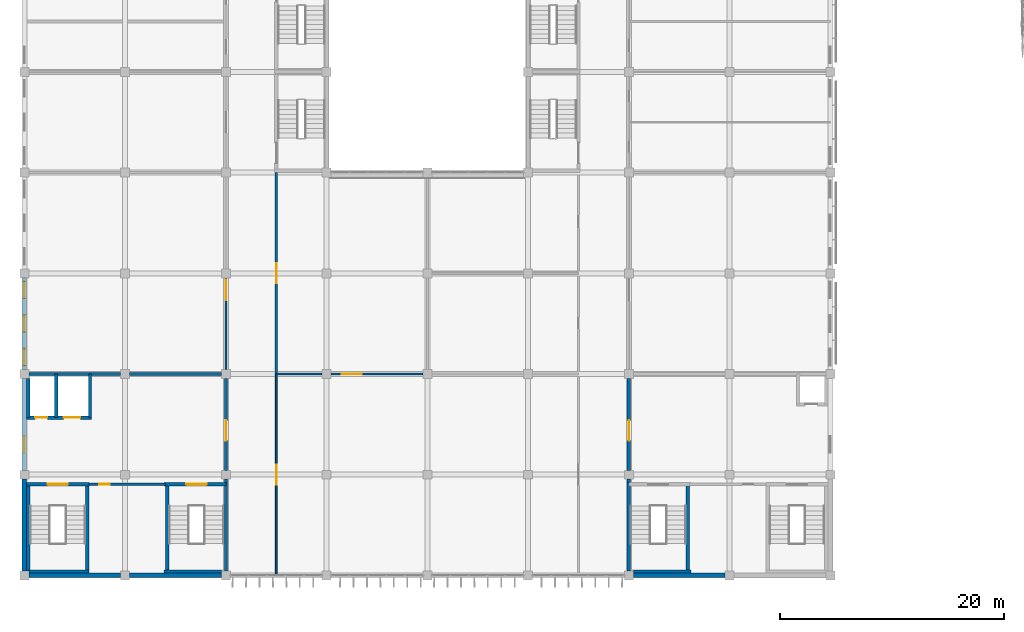
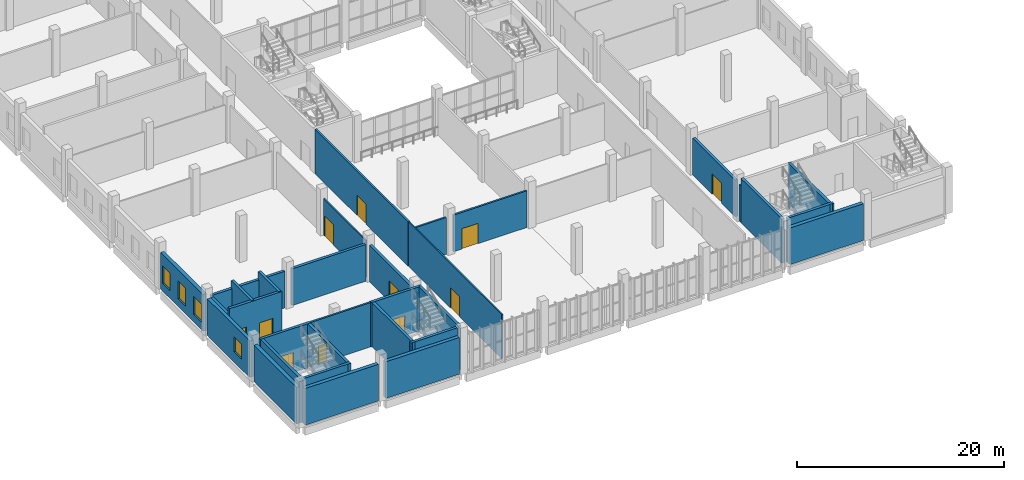
# One storey, part 104 of 185: 33 walls, 11 doors, 4 windows, 15 openings.
"""IFC4 building model written with IfcOpenShell, lengths in metres."""

from ifc_helpers import new_model, si_unit, direction, frame, frame_2d, origin, place, context, subcontext, project, spatial, rectangle, extrude, material, layer, layer_set, type_object, element, fill, save


model = new_model("IFC4")

# Units and contexts
model_context = context("Model", 3, precision=1e-05, world=origin(), true_north=direction((0.0, 1.0)))
body_context = subcontext(model_context, "Body", "Model", "MODEL_VIEW")
ifc_project = project(units=[si_unit("LENGTHUNIT", "METRE"), si_unit("AREAUNIT", "SQUARE_METRE"), si_unit("VOLUMEUNIT", "CUBIC_METRE"), si_unit("PLANEANGLEUNIT", "RADIAN"), si_unit("MASSUNIT", "GRAM", prefix="KILO")], contexts=[model_context])

# Site, building, storey
site_placement = place(None, origin())
site = spatial("IfcSite", under=ifc_project, at=site_placement, CompositionType="ELEMENT")
building_placement = place(site_placement, origin())
building = spatial("IfcBuilding", under=site, at=building_placement, Name="Opaline Strait Convention Centre", CompositionType="ELEMENT")
storey_placement = place(building_placement, frame((0.0, 0.0, 6.0)))
storey = spatial("IfcBuildingStorey", under=building, at=storey_placement, Name="L01", CompositionType="ELEMENT", Elevation=6.0)

# Wall, opening, door
ifc_material_1 = material(Name="Gypsum board on metal studs with mineral wool")
ifc_layer_1 = layer(ifc_material_1, 0.199951171875)
ifc_layer_set_1 = layer_set([ifc_layer_1], Name="Gypsum board on metal studs with mineral wool")
wall_type_1 = type_object("IfcWallType", Name="Fire partition 200", PredefinedType="PARTITIONING", material=ifc_layer_set_1)
wall_1_placement = place(storey_placement, frame((14.75, 17.14990234375, 0.0), z_axis=(0.0, 0.0, 1.0), x_axis=(1.0, 0.0, 0.0)))
wall_1 = element("IfcWall", 1, at=wall_1_placement, inside=storey, type_object=wall_type_1, Name="SW core STORE-N wall", PredefinedType="PARTITIONING", context=body_context, shape_type="SweptSolid", body=[
    extrude(rectangle(XDim=6.85009765625, YDim=0.199951171875, at=frame_2d((3.425048828125, 0.0))), origin(), (0.0, 0.0, 1.0), 5.219970703125),
])
opening_1_placement = place(wall_1_placement, frame((0.949951171875, 0.0, 0.0)))
opening_1 = element("IfcOpeningElement", 2, at=opening_1_placement, cuts=wall_1, Name="Opening R1-003", PredefinedType="OPENING", context=body_context, shape_type="SweptSolid", body=[
    extrude(rectangle(XDim=0.89990234375, YDim=2.10009765625, at=frame_2d((0.449951171875, 1.050048828125))), frame((0.0, 0.10986328125, 0.0), z_axis=(0.0, -1.0, 0.0), x_axis=(1.0, 0.0, 0.0)), (0.0, 0.0, 1.0), 0.219970703125),
])
ifc_material_2 = material(Name="Galvanised steel door leaf", Category="steel")
door_type_1 = type_object("IfcDoorType", Name="Services store door 900x2100 FD60", OperationType="SINGLE_SWING_LEFT", PredefinedType="DOOR", material=ifc_material_2)
door_1_placement = place(opening_1_placement, origin())
door_1 = element("IfcDoor", 3, at=door_1_placement, inside=storey, type_object=door_type_1, Name="Services store door SW R1-003", ObjectType="RD8", OperationType="SINGLE_SWING_LEFT", OverallHeight=2.10009765625, OverallWidth=0.89990234375, PredefinedType="DOOR", context=body_context, shape_type="SweptSolid", body=[
    extrude(rectangle(XDim=0.89990234375, YDim=2.10009765625, at=frame_2d((0.449951171875, 1.050048828125))), frame((0.0, 0.02490234375, 0.0), z_axis=(0.0, -1.0, 0.0), x_axis=(1.0, 0.0, 0.0)), (0.0, 0.0, 1.0), 0.050048828125),
])
fill(opening_1, door_1)

# Wall
wall_2_placement = place(storey_placement, frame((31.5, 27.0, 0.0), z_axis=(0.0, 0.0, 1.0), x_axis=(1.0, 0.0, 0.0)))
element("IfcWall", 4, at=wall_2_placement, inside=storey, type_object=wall_type_1, Name="L01 partition", PredefinedType="PARTITIONING", context=body_context, shape_type="SweptSolid", body=[
    extrude(rectangle(XDim=4.10009765625, YDim=0.199951171875, at=frame_2d((2.050048828125, 0.0))), origin(), (0.0, 0.0, 1.0), 4.320068359375),
])

# Wall, opening, door
wall_3_placement = place(storey_placement, frame((36.39990234375, 27.0, 0.0), z_axis=(0.0, 0.0, 1.0), x_axis=(1.0, 0.0, 0.0)))
wall_3 = element("IfcWall", 5, at=wall_3_placement, inside=storey, type_object=wall_type_1, Name="L01 partition", PredefinedType="PARTITIONING", context=body_context, shape_type="SweptSolid", body=[
    extrude(rectangle(XDim=8.2001953125, YDim=0.199951171875, at=frame_2d((4.10009765625, 0.0))), origin(), (0.0, 0.0, 1.0), 4.320068359375),
])
opening_2_placement = place(wall_3_placement, frame((0.949951171875, 0.0, 0.0)))
opening_2 = element("IfcOpeningElement", 6, at=opening_2_placement, cuts=wall_3, Name="Opening R1-030", PredefinedType="OPENING", context=body_context, shape_type="SweptSolid", body=[
    extrude(rectangle(XDim=1.800048828125, YDim=2.39990234375, at=frame_2d((0.89990234375, 1.199951171875))), frame((0.0, 0.10986328125, 0.0), z_axis=(0.0, -1.0, 0.0), x_axis=(1.0, 0.0, 0.0)), (0.0, 0.0, 1.0), 0.219970703125),
])
ifc_material_3 = material(Name="Stainless steel 304 door leaves", Category="steel")
door_type_2 = type_object("IfcDoorType", Name="Kitchen door 1800x2400 double FD90", OperationType="DOUBLE_DOOR_SINGLE_SWING", PredefinedType="DOOR", material=ifc_material_3)
door_2_placement = place(opening_2_placement, origin())
door_2 = element("IfcDoor", 7, at=door_2_placement, inside=storey, type_object=door_type_2, Name="Central Kitchen to Food Court door R1-030", ObjectType="RD4", OperationType="DOUBLE_DOOR_SINGLE_SWING", OverallHeight=2.39990234375, OverallWidth=1.800048828125, PredefinedType="DOOR", context=body_context, shape_type="SweptSolid", body=[
    extrude(rectangle(XDim=1.800048828125, YDim=2.39990234375, at=frame_2d((0.89990234375, 1.199951171875))), frame((0.0, 0.02490234375, 0.0), z_axis=(0.0, -1.0, 0.0), x_axis=(1.0, 0.0, 0.0)), (0.0, 0.0, 1.0), 0.050048828125),
])
fill(opening_2, door_2)

wall_4_placement = place(storey_placement, frame((31.5, 27.0, 0.0), z_axis=(0.0, 0.0, 1.0), x_axis=(0.0, 1.0, 0.0)))
wall_4 = element("IfcWall", 8, at=wall_4_placement, inside=storey, type_object=wall_type_1, Name="L01 partition", PredefinedType="PARTITIONING", context=body_context, shape_type="SweptSolid", body=[
    extrude(rectangle(XDim=18.0, YDim=0.199951171875, at=frame_2d((9.0, 0.0))), origin(), (0.0, 0.0, 1.0), 5.219970703125),
])
opening_3_placement = place(wall_4_placement, frame((8.10009765625, 0.0, 0.0)))
opening_3 = element("IfcOpeningElement", 9, at=opening_3_placement, cuts=wall_4, Name="Opening R1-029", PredefinedType="OPENING", context=body_context, shape_type="SweptSolid", body=[
    extrude(rectangle(XDim=1.800048828125, YDim=2.39990234375, at=frame_2d((0.89990234375, 1.199951171875))), frame((0.0, 0.10986328125, 0.0), z_axis=(0.0, -1.0, 0.0), x_axis=(1.0, 0.0, 0.0)), (0.0, 0.0, 1.0), 0.219970703125),
])
door_3_placement = place(opening_3_placement, origin())
door_3 = element("IfcDoor", 10, at=door_3_placement, inside=storey, type_object=door_type_2, Name="Central Kitchen door R1-029", ObjectType="RD4", OperationType="DOUBLE_DOOR_SINGLE_SWING", OverallHeight=2.39990234375, OverallWidth=1.800048828125, PredefinedType="DOOR", context=body_context, shape_type="SweptSolid", body=[
    extrude(rectangle(XDim=1.800048828125, YDim=2.39990234375, at=frame_2d((0.89990234375, 1.199951171875))), frame((0.0, 0.02490234375, 0.0), z_axis=(0.0, -1.0, 0.0), x_axis=(1.0, 0.0, 0.0)), (0.0, 0.0, 1.0), 0.050048828125),
])
fill(opening_3, door_3)

ifc_layer_2 = layer(ifc_material_1, 0.14990234375)
ifc_layer_set_2 = layer_set([ifc_layer_2], Name="Gypsum board on metal studs with mineral wool")
wall_type_2 = type_object("IfcWallType", Name="Partition 150", PredefinedType="PARTITIONING", material=ifc_layer_set_2)
wall_5_placement = place(storey_placement, frame((27.0, 27.39990234375, 0.0), z_axis=(0.0, 0.0, 1.0), x_axis=(0.0, 1.0, 0.0)))
wall_5 = element("IfcWall", 11, at=wall_5_placement, inside=storey, type_object=wall_type_2, Name="L01 partition", PredefinedType="PARTITIONING", context=body_context, shape_type="SweptSolid", body=[
    extrude(rectangle(XDim=8.2001953125, YDim=0.14990234375, at=frame_2d((4.10009765625, 0.0))), origin(), (0.0, 0.0, 1.0), 4.320068359375),
])
opening_4_placement = place(wall_5_placement, frame((6.199951171875, 0.0, 0.0)))
opening_4 = element("IfcOpeningElement", 12, at=opening_4_placement, cuts=wall_5, Name="Opening R1-037", PredefinedType="OPENING", context=body_context, shape_type="SweptSolid", body=[
    extrude(rectangle(XDim=1.800048828125, YDim=2.39990234375, at=frame_2d((0.89990234375, 1.199951171875))), frame((0.0, 0.0849609375, 0.0), z_axis=(0.0, -1.0, 0.0), x_axis=(1.0, 0.0, 0.0)), (0.0, 0.0, 1.0), 0.169921875),
])
ifc_material_4 = material(Name="Timber door leaves in steel frame", Category="steel")
door_type_3 = type_object("IfcDoorType", Name="Door 1800x2400 double FD30", OperationType="DOUBLE_DOOR_SINGLE_SWING", PredefinedType="DOOR", material=ifc_material_4)
door_4_placement = place(opening_4_placement, frame((1.800048828125, 0.0, 0.0), z_axis=(0.0, 0.0, 1.0), x_axis=(-1.0, 0.0, 0.0)))
door_4 = element("IfcDoor", 13, at=door_4_placement, inside=storey, type_object=door_type_3, Name="Hotpot Restaurant door R1-037", ObjectType="RD2", OperationType="DOUBLE_DOOR_SINGLE_SWING", OverallHeight=2.39990234375, OverallWidth=1.800048828125, PredefinedType="DOOR", context=body_context, shape_type="SweptSolid", body=[
    extrude(rectangle(XDim=1.800048828125, YDim=2.39990234375, at=frame_2d((0.89990234375, 1.199951171875))), frame((0.0, 0.02490234375, 0.0), z_axis=(0.0, -1.0, 0.0), x_axis=(1.0, 0.0, 0.0)), (0.0, 0.0, 1.0), 0.050048828125),
])
fill(opening_4, door_4)

wall_6_placement = place(storey_placement, frame((31.5, 9.0, 0.0), z_axis=(0.0, 0.0, 1.0), x_axis=(0.0, 1.0, 0.0)))
wall_6 = element("IfcWall", 14, at=wall_6_placement, inside=storey, type_object=wall_type_2, Name="L01 partition", PredefinedType="PARTITIONING", context=body_context, shape_type="SweptSolid", body=[
    extrude(rectangle(XDim=18.0, YDim=0.14990234375, at=frame_2d((9.0, 0.0))), origin(), (0.0, 0.0, 1.0), 5.219970703125),
])
opening_5_placement = place(wall_6_placement, frame((8.10009765625, 0.0, 0.0)))
opening_5 = element("IfcOpeningElement", 15, at=opening_5_placement, cuts=wall_6, Name="Opening R1-027", PredefinedType="OPENING", context=body_context, shape_type="SweptSolid", body=[
    extrude(rectangle(XDim=1.800048828125, YDim=2.39990234375, at=frame_2d((0.89990234375, 1.199951171875))), frame((0.0, 0.0849609375, 0.0), z_axis=(0.0, -1.0, 0.0), x_axis=(1.0, 0.0, 0.0)), (0.0, 0.0, 1.0), 0.169921875),
])
door_5_placement = place(opening_5_placement, origin())
door_5 = element("IfcDoor", 16, at=door_5_placement, inside=storey, type_object=door_type_3, Name="Food Court door R1-027", ObjectType="RD2", OperationType="DOUBLE_DOOR_SINGLE_SWING", OverallHeight=2.39990234375, OverallWidth=1.800048828125, PredefinedType="DOOR", context=body_context, shape_type="SweptSolid", body=[
    extrude(rectangle(XDim=1.800048828125, YDim=2.39990234375, at=frame_2d((0.89990234375, 1.199951171875))), frame((0.0, 0.02490234375, 0.0), z_axis=(0.0, -1.0, 0.0), x_axis=(1.0, 0.0, 0.0)), (0.0, 0.0, 1.0), 0.050048828125),
])
fill(opening_5, door_5)

# Wall
ifc_material_5 = material(Name="Concrete C40", Category="concrete")
ifc_layer_3 = layer(ifc_material_5, 0.300048828125)
ifc_layer_set_3 = layer_set([ifc_layer_3], Name="Concrete C40")
wall_type_3 = type_object("IfcWallType", Name="RC wall 300 C40", PredefinedType="SOLIDWALL", material=ifc_layer_set_3)
wall_7_placement = place(storey_placement, frame((9.39990234375, 9.35009765625, 0.0), z_axis=(0.0, 0.0, 1.0), x_axis=(1.0, 0.0, 0.0)))
element("IfcWall", 17, at=wall_7_placement, inside=storey, type_object=wall_type_3, Name="SW core STA-S wall", PredefinedType="SOLIDWALL", context=body_context, shape_type="SweptSolid", body=[
    extrude(rectangle(XDim=5.35009765625, YDim=0.300048828125, at=frame_2d((2.675048828125, 0.0))), origin(), (0.0, 0.0, 1.0), 5.219970703125),
])

# Wall, opening, door
wall_8_placement = place(storey_placement, frame((9.199951171875, 17.14990234375, 0.0), z_axis=(0.0, 0.0, 1.0), x_axis=(1.0, 0.0, 0.0)))
wall_8 = element("IfcWall", 18, at=wall_8_placement, inside=storey, type_object=wall_type_3, Name="SW core STA-N wall", PredefinedType="SOLIDWALL", context=body_context, shape_type="SweptSolid", body=[
    extrude(rectangle(XDim=5.550048828125, YDim=0.300048828125, at=frame_2d((2.77490234375, 0.0))), origin(), (0.0, 0.0, 1.0), 5.219970703125),
])
opening_6_placement = place(wall_8_placement, frame((1.875, 0.0, 0.0)))
opening_6 = element("IfcOpeningElement", 19, at=opening_6_placement, cuts=wall_8, Name="Opening R1-001", PredefinedType="OPENING", context=body_context, shape_type="SweptSolid", body=[
    extrude(rectangle(XDim=1.800048828125, YDim=2.39990234375, at=frame_2d((0.89990234375, 1.199951171875))), frame((0.0, 0.159912109375, 0.0), z_axis=(0.0, -1.0, 0.0), x_axis=(1.0, 0.0, 0.0)), (0.0, 0.0, 1.0), 0.320068359375),
])
door_type_4 = type_object("IfcDoorType", Name="Stair door 1800x2400 double FD60", OperationType="DOUBLE_DOOR_SINGLE_SWING", PredefinedType="DOOR", material=ifc_material_4)
door_6_placement = place(opening_6_placement, origin())
door_6 = element("IfcDoor", 20, at=door_6_placement, inside=storey, type_object=door_type_4, Name="Stair door SWA R1-001", ObjectType="RD7", OperationType="DOUBLE_DOOR_SINGLE_SWING", OverallHeight=2.39990234375, OverallWidth=1.800048828125, PredefinedType="DOOR", context=body_context, shape_type="SweptSolid", body=[
    extrude(rectangle(XDim=1.800048828125, YDim=2.39990234375, at=frame_2d((0.89990234375, 1.199951171875))), frame((0.0, 0.02490234375, 0.0), z_axis=(0.0, -1.0, 0.0), x_axis=(1.0, 0.0, 0.0)), (0.0, 0.0, 1.0), 0.050048828125),
])
fill(opening_6, door_6)

# Walls
wall_9_placement = place(storey_placement, frame((9.35009765625, 9.39990234375, 0.0), z_axis=(0.0, 0.0, 1.0), x_axis=(0.0, 1.0, 0.0)))
element("IfcWall", 21, at=wall_9_placement, inside=storey, type_object=wall_type_3, Name="SW core STA-W wall", PredefinedType="SOLIDWALL", context=body_context, shape_type="SweptSolid", body=[
    extrude(rectangle(XDim=7.900146484375, YDim=0.300048828125, at=frame_2d((3.9501953125, 0.0))), origin(), (0.0, 0.0, 1.0), 5.219970703125),
])
wall_10_placement = place(storey_placement, frame((14.60009765625, 9.199951171875, 0.0), z_axis=(0.0, 0.0, 1.0), x_axis=(0.0, 1.0, 0.0)))
element("IfcWall", 22, at=wall_10_placement, inside=storey, type_object=wall_type_3, Name="SW core STA-E wall", PredefinedType="SOLIDWALL", context=body_context, shape_type="SweptSolid", body=[
    extrude(rectangle(XDim=8.10009765625, YDim=0.300048828125, at=frame_2d((4.050048828125, 0.0))), origin(), (0.0, 0.0, 1.0), 5.219970703125),
])
wall_11_placement = place(storey_placement, frame((21.449951171875, 9.35009765625, 0.0), z_axis=(0.0, 0.0, 1.0), x_axis=(1.0, 0.0, 0.0)))
element("IfcWall", 23, at=wall_11_placement, inside=storey, type_object=wall_type_3, Name="SW core STB-S wall", PredefinedType="SOLIDWALL", context=body_context, shape_type="SweptSolid", body=[
    extrude(rectangle(XDim=5.150146484375, YDim=0.300048828125, at=frame_2d((2.5751953125, 0.0))), origin(), (0.0, 0.0, 1.0), 5.219970703125),
])

# Wall, opening, door
wall_12_placement = place(storey_placement, frame((21.449951171875, 17.14990234375, 0.0), z_axis=(0.0, 0.0, 1.0), x_axis=(1.0, 0.0, 0.0)))
wall_12 = element("IfcWall", 24, at=wall_12_placement, inside=storey, type_object=wall_type_3, Name="SW core STB-N wall", PredefinedType="SOLIDWALL", context=body_context, shape_type="SweptSolid", body=[
    extrude(rectangle(XDim=5.550048828125, YDim=0.300048828125, at=frame_2d((2.77490234375, 0.0))), origin(), (0.0, 0.0, 1.0), 5.219970703125),
])
opening_7_placement = place(wall_12_placement, frame((2.02490234375, 0.0, 0.0)))
opening_7 = element("IfcOpeningElement", 25, at=opening_7_placement, cuts=wall_12, Name="Opening R1-002", PredefinedType="OPENING", context=body_context, shape_type="SweptSolid", body=[
    extrude(rectangle(XDim=1.800048828125, YDim=2.39990234375, at=frame_2d((0.89990234375, 1.199951171875))), frame((0.0, 0.159912109375, 0.0), z_axis=(0.0, -1.0, 0.0), x_axis=(1.0, 0.0, 0.0)), (0.0, 0.0, 1.0), 0.320068359375),
])
door_7_placement = place(opening_7_placement, origin())
door_7 = element("IfcDoor", 26, at=door_7_placement, inside=storey, type_object=door_type_4, Name="Stair door SWB R1-002", ObjectType="RD7", OperationType="DOUBLE_DOOR_SINGLE_SWING", OverallHeight=2.39990234375, OverallWidth=1.800048828125, PredefinedType="DOOR", context=body_context, shape_type="SweptSolid", body=[
    extrude(rectangle(XDim=1.800048828125, YDim=2.39990234375, at=frame_2d((0.89990234375, 1.199951171875))), frame((0.0, 0.02490234375, 0.0), z_axis=(0.0, -1.0, 0.0), x_axis=(1.0, 0.0, 0.0)), (0.0, 0.0, 1.0), 0.050048828125),
])
fill(opening_7, door_7)

# Walls
wall_13_placement = place(storey_placement, frame((21.75, 9.199951171875, 0.0), z_axis=(0.0, 0.0, 1.0), x_axis=(0.0, 1.0, 0.0)))
element("IfcWall", 27, at=wall_13_placement, inside=storey, type_object=wall_type_3, Name="SW core STB-W wall", PredefinedType="SOLIDWALL", context=body_context, shape_type="SweptSolid", body=[
    extrude(rectangle(XDim=8.10009765625, YDim=0.300048828125, at=frame_2d((4.050048828125, 0.0))), origin(), (0.0, 0.0, 1.0), 5.219970703125),
])
wall_14_placement = place(storey_placement, frame((27.0, 9.39990234375, 0.0), z_axis=(0.0, 0.0, 1.0), x_axis=(0.0, 1.0, 0.0)))
element("IfcWall", 28, at=wall_14_placement, inside=storey, type_object=wall_type_3, Name="SW core STB-E wall", PredefinedType="SOLIDWALL", context=body_context, shape_type="SweptSolid", body=[
    extrude(rectangle(XDim=7.900146484375, YDim=0.300048828125, at=frame_2d((3.9501953125, 0.0))), origin(), (0.0, 0.0, 1.0), 5.219970703125),
])
for number, where, z_axis, x_axis, name in (
    (29, (9.39990234375, 27.0, 0.0), (0.0, 0.0, 1.0), (1.0, 0.0, 0.0), "SW core BND-N wall"),
    (30, (18.39990234375, 27.0, 0.0), (0.0, 0.0, 1.0), (1.0, 0.0, 0.0), "SW core BND-N wall"),
):
    element("IfcWall", number, at=place(storey_placement, frame(where, z_axis=z_axis, x_axis=x_axis)), inside=storey, type_object=wall_type_3, Name=name, PredefinedType="SOLIDWALL", context=body_context, shape_type="SweptSolid", body=[
        extrude(rectangle(XDim=8.2001953125, YDim=0.300048828125, at=frame_2d((4.10009765625, 0.0))), origin(), (0.0, 0.0, 1.0), 4.320068359375),
    ])
wall_15_placement = place(storey_placement, frame((27.0, 17.300048828125, 0.0), z_axis=(0.0, 0.0, 1.0), x_axis=(0.0, 1.0, 0.0)))
element("IfcWall", 31, at=wall_15_placement, inside=storey, type_object=wall_type_3, Name="SW core BND-E wall", PredefinedType="SOLIDWALL", context=body_context, shape_type="SweptSolid", body=[
    extrude(rectangle(XDim=0.300048828125, YDim=0.300048828125, at=frame_2d((0.14990234375, 0.0))), origin(), (0.0, 0.0, 1.0), 4.320068359375),
])

# Wall, opening, door
wall_16_placement = place(storey_placement, frame((27.0, 18.39990234375, 0.0), z_axis=(0.0, 0.0, 1.0), x_axis=(0.0, 1.0, 0.0)))
wall_16 = element("IfcWall", 32, at=wall_16_placement, inside=storey, type_object=wall_type_3, Name="SW core BND-E wall", PredefinedType="SOLIDWALL", context=body_context, shape_type="SweptSolid", body=[
    extrude(rectangle(XDim=8.2001953125, YDim=0.300048828125, at=frame_2d((4.10009765625, 0.0))), origin(), (0.0, 0.0, 1.0), 4.320068359375),
])
opening_8_placement = place(wall_16_placement, frame((2.64990234375, 0.0, 0.0)))
opening_8 = element("IfcOpeningElement", 33, at=opening_8_placement, cuts=wall_16, Name="Opening R1-004", PredefinedType="OPENING", context=body_context, shape_type="SweptSolid", body=[
    extrude(rectangle(XDim=1.800048828125, YDim=2.39990234375, at=frame_2d((0.89990234375, 1.199951171875))), frame((0.0, 0.159912109375, 0.0), z_axis=(0.0, -1.0, 0.0), x_axis=(1.0, 0.0, 0.0)), (0.0, 0.0, 1.0), 0.320068359375),
])
door_type_5 = type_object("IfcDoorType", Name="Door 1800x2400 double FD60", OperationType="DOUBLE_DOOR_SINGLE_SWING", PredefinedType="DOOR", material=ifc_material_4)
door_8_placement = place(opening_8_placement, frame((1.800048828125, 0.0, 0.0), z_axis=(0.0, 0.0, 1.0), x_axis=(-1.0, 0.0, 0.0)))
door_8 = element("IfcDoor", 34, at=door_8_placement, inside=storey, type_object=door_type_5, Name="Core lobby door SW R1-004", ObjectType="RD9", OperationType="DOUBLE_DOOR_SINGLE_SWING", OverallHeight=2.39990234375, OverallWidth=1.800048828125, PredefinedType="DOOR", context=body_context, shape_type="SweptSolid", body=[
    extrude(rectangle(XDim=1.800048828125, YDim=2.39990234375, at=frame_2d((0.89990234375, 1.199951171875))), frame((0.0, 0.02490234375, 0.0), z_axis=(0.0, -1.0, 0.0), x_axis=(1.0, 0.0, 0.0)), (0.0, 0.0, 1.0), 0.050048828125),
])
fill(opening_8, door_8)

# Wall, openings, doors
wall_17_placement = place(storey_placement, frame((9.199951171875, 23.10009765625, 0.0), z_axis=(0.0, 0.0, 1.0), x_axis=(1.0, 0.0, 0.0)))
wall_17 = element("IfcWall", 35, at=wall_17_placement, inside=storey, type_object=wall_type_3, Name="SW core LIFT-S wall", PredefinedType="SOLIDWALL", context=body_context, shape_type="SweptSolid", body=[
    extrude(rectangle(XDim=5.800048828125, YDim=0.300048828125, at=frame_2d((2.89990234375, 0.0))), origin(), (0.0, 0.0, 1.0), 5.219970703125),
])
opening_9_placement = place(wall_17_placement, frame((0.75, 0.0, 0.0)))
opening_9 = element("IfcOpeningElement", 36, at=opening_9_placement, cuts=wall_17, Name="Opening R1-005", PredefinedType="OPENING", context=body_context, shape_type="SweptSolid", body=[
    extrude(rectangle(XDim=1.10009765625, YDim=2.39990234375, at=frame_2d((0.550048828125, 1.199951171875))), frame((0.0, 0.159912109375, 0.0), z_axis=(0.0, -1.0, 0.0), x_axis=(1.0, 0.0, 0.0)), (0.0, 0.0, 1.0), 0.320068359375),
])
opening_10_placement = place(wall_17_placement, frame((3.300048828125, 0.0, 0.0)))
opening_10 = element("IfcOpeningElement", 37, at=opening_10_placement, cuts=wall_17, Name="Opening R1-006", PredefinedType="OPENING", context=body_context, shape_type="SweptSolid", body=[
    extrude(rectangle(XDim=1.5, YDim=2.39990234375, at=frame_2d((0.75, 1.199951171875))), frame((0.0, 0.159912109375, 0.0), z_axis=(0.0, -1.0, 0.0), x_axis=(1.0, 0.0, 0.0)), (0.0, 0.0, 1.0), 0.320068359375),
])
door_type_6 = type_object("IfcDoorType", Name="Lift landing door 1100x2400 sliding FD60", OperationType="SLIDING_TO_LEFT", PredefinedType="DOOR", material=ifc_material_3)
door_9_placement = place(opening_9_placement, frame((1.10009765625, 0.0, 0.0), z_axis=(0.0, 0.0, 1.0), x_axis=(-1.0, 0.0, 0.0)))
door_9 = element("IfcDoor", 38, at=door_9_placement, inside=storey, type_object=door_type_6, Name="Lift landing door SWP R1-005", ObjectType="LD1", OperationType="SLIDING_TO_LEFT", OverallHeight=2.39990234375, OverallWidth=1.10009765625, PredefinedType="DOOR", context=body_context, shape_type="SweptSolid", body=[
    extrude(rectangle(XDim=1.10009765625, YDim=2.39990234375, at=frame_2d((0.550048828125, 1.199951171875))), frame((0.0, 0.02490234375, 0.0), z_axis=(0.0, -1.0, 0.0), x_axis=(1.0, 0.0, 0.0)), (0.0, 0.0, 1.0), 0.050048828125),
])
fill(opening_9, door_9)
door_type_7 = type_object("IfcDoorType", Name="Lift landing door 1500x2400 sliding FD60", OperationType="SLIDING_TO_LEFT", PredefinedType="DOOR", material=ifc_material_3)
door_10_placement = place(opening_10_placement, frame((1.5, 0.0, 0.0), z_axis=(0.0, 0.0, 1.0), x_axis=(-1.0, 0.0, 0.0)))
door_10 = element("IfcDoor", 39, at=door_10_placement, inside=storey, type_object=door_type_7, Name="Lift landing door SWG R1-006", ObjectType="LD2", OperationType="SLIDING_TO_LEFT", OverallHeight=2.39990234375, OverallWidth=1.5, PredefinedType="DOOR", context=body_context, shape_type="SweptSolid", body=[
    extrude(rectangle(XDim=1.5, YDim=2.39990234375, at=frame_2d((0.75, 1.199951171875))), frame((0.0, 0.02490234375, 0.0), z_axis=(0.0, -1.0, 0.0), x_axis=(1.0, 0.0, 0.0)), (0.0, 0.0, 1.0), 0.050048828125),
])
fill(opening_10, door_10)

# Walls
for number, where, z_axis, x_axis, name in (
    (40, (11.85009765625, 23.10009765625, 0.0), (0.0, 0.0, 1.0), (0.0, 1.0, 0.0), "SW core LIFT-M wall"),
    (41, (14.85009765625, 23.10009765625, 0.0), (0.0, 0.0, 1.0), (0.0, 1.0, 0.0), "SW core LIFT-GE wall"),
):
    element("IfcWall", number, at=place(storey_placement, frame(where, z_axis=z_axis, x_axis=x_axis)), inside=storey, type_object=wall_type_3, Name=name, PredefinedType="SOLIDWALL", context=body_context, shape_type="SweptSolid", body=[
        extrude(rectangle(XDim=3.89990234375, YDim=0.300048828125, at=frame_2d((1.949951171875, 0.0))), origin(), (0.0, 0.0, 1.0), 5.219970703125),
    ])
wall_18_placement = place(storey_placement, frame((9.35009765625, 23.10009765625, 0.0), z_axis=(0.0, 0.0, 1.0), x_axis=(0.0, 1.0, 0.0)))
element("IfcWall", 42, at=wall_18_placement, inside=storey, type_object=wall_type_3, Name="SW core LIFT-W wall", PredefinedType="SOLIDWALL", context=body_context, shape_type="SweptSolid", body=[
    extrude(rectangle(XDim=3.5, YDim=0.300048828125, at=frame_2d((1.75, 0.0))), origin(), (0.0, 0.0, 1.0), 4.320068359375),
])
wall_19_placement = place(storey_placement, frame((68.550048828125, 9.35009765625, 0.0), z_axis=(0.0, 0.0, 1.0), x_axis=(-1.0, 0.0, 0.0)))
element("IfcWall", 43, at=wall_19_placement, inside=storey, type_object=wall_type_3, Name="SE core STB-S wall", PredefinedType="SOLIDWALL", context=body_context, shape_type="SweptSolid", body=[
    extrude(rectangle(XDim=5.150146484375, YDim=0.300048828125, at=frame_2d((2.5751953125, 0.0))), origin(), (0.0, 0.0, 1.0), 5.219970703125),
])
wall_20_placement = place(storey_placement, frame((68.25, 9.199951171875, 0.0), z_axis=(0.0, 0.0, 1.0), x_axis=(0.0, 1.0, 0.0)))
element("IfcWall", 44, at=wall_20_placement, inside=storey, type_object=wall_type_3, Name="SE core STB-W wall", PredefinedType="SOLIDWALL", context=body_context, shape_type="SweptSolid", body=[
    extrude(rectangle(XDim=8.10009765625, YDim=0.300048828125, at=frame_2d((4.050048828125, 0.0))), origin(), (0.0, 0.0, 1.0), 5.219970703125),
])
wall_21_placement = place(storey_placement, frame((63.0, 9.39990234375, 0.0), z_axis=(0.0, 0.0, 1.0), x_axis=(0.0, 1.0, 0.0)))
element("IfcWall", 45, at=wall_21_placement, inside=storey, type_object=wall_type_3, Name="SE core STB-E wall", PredefinedType="SOLIDWALL", context=body_context, shape_type="SweptSolid", body=[
    extrude(rectangle(XDim=7.900146484375, YDim=0.300048828125, at=frame_2d((3.9501953125, 0.0))), origin(), (0.0, 0.0, 1.0), 5.219970703125),
])
wall_22_placement = place(storey_placement, frame((63.0, 17.300048828125, 0.0), z_axis=(0.0, 0.0, 1.0), x_axis=(0.0, 1.0, 0.0)))
element("IfcWall", 46, at=wall_22_placement, inside=storey, type_object=wall_type_3, Name="SE core BND-E wall", PredefinedType="SOLIDWALL", context=body_context, shape_type="SweptSolid", body=[
    extrude(rectangle(XDim=0.300048828125, YDim=0.300048828125, at=frame_2d((0.14990234375, 0.0))), origin(), (0.0, 0.0, 1.0), 4.320068359375),
])

# Wall, opening, door
wall_23_placement = place(storey_placement, frame((63.0, 18.39990234375, 0.0), z_axis=(0.0, 0.0, 1.0), x_axis=(0.0, 1.0, 0.0)))
wall_23 = element("IfcWall", 47, at=wall_23_placement, inside=storey, type_object=wall_type_3, Name="SE core BND-E wall", PredefinedType="SOLIDWALL", context=body_context, shape_type="SweptSolid", body=[
    extrude(rectangle(XDim=8.2001953125, YDim=0.300048828125, at=frame_2d((4.10009765625, 0.0))), origin(), (0.0, 0.0, 1.0), 4.320068359375),
])
opening_11_placement = place(wall_23_placement, frame((2.64990234375, 0.0, 0.0)))
opening_11 = element("IfcOpeningElement", 48, at=opening_11_placement, cuts=wall_23, Name="Opening R1-010", PredefinedType="OPENING", context=body_context, shape_type="SweptSolid", body=[
    extrude(rectangle(XDim=1.800048828125, YDim=2.39990234375, at=frame_2d((0.89990234375, 1.199951171875))), frame((0.0, 0.159912109375, 0.0), z_axis=(0.0, -1.0, 0.0), x_axis=(1.0, 0.0, 0.0)), (0.0, 0.0, 1.0), 0.320068359375),
])
door_11_placement = place(opening_11_placement, origin())
door_11 = element("IfcDoor", 49, at=door_11_placement, inside=storey, type_object=door_type_5, Name="Core lobby door SE R1-010", ObjectType="RD9", OperationType="DOUBLE_DOOR_SINGLE_SWING", OverallHeight=2.39990234375, OverallWidth=1.800048828125, PredefinedType="DOOR", context=body_context, shape_type="SweptSolid", body=[
    extrude(rectangle(XDim=1.800048828125, YDim=2.39990234375, at=frame_2d((0.89990234375, 1.199951171875))), frame((0.0, 0.02490234375, 0.0), z_axis=(0.0, -1.0, 0.0), x_axis=(1.0, 0.0, 0.0)), (0.0, 0.0, 1.0), 0.050048828125),
])
fill(opening_11, door_11)

# Walls
ifc_layer_4 = layer(ifc_material_5, 0.320068359375)
ifc_material_6 = material(Name="Mineral wool insulation")
ifc_layer_5 = layer(ifc_material_6, 0.050048828125)
ifc_material_7 = material(Name="Gypsum board lining")
ifc_layer_6 = layer(ifc_material_7, 0.030029296875)
ifc_layer_set_4 = layer_set([ifc_layer_4, ifc_layer_5, ifc_layer_6], Name="Concrete C40, Mineral wool insulation, Gypsum board lining")
wall_type_4 = type_object("IfcWallType", Name="RC wall 400 C40", PredefinedType="SOLIDWALL", material=ifc_layer_set_4)
for number, where, z_axis, x_axis, name in (
    (50, (9.39990234375, 9.0, 0.0), (0.0, 0.0, 1.0), (1.0, 0.0, 0.0), "L01 S external wall 1"),
    (51, (18.39990234375, 9.0, 0.0), (0.0, 0.0, 1.0), (1.0, 0.0, 0.0), "L01 S external wall 2"),
    (52, (63.39990234375, 9.0, 0.0), (0.0, 0.0, 1.0), (1.0, 0.0, 0.0), "L01 S external wall 7"),
    (53, (9.0, 9.39990234375, 0.0), (0.0, 0.0, 1.0), (0.0, 1.0, 0.0), "L01 W external wall 1"),
):
    element("IfcWall", number, at=place(storey_placement, frame(where, z_axis=z_axis, x_axis=x_axis)), inside=storey, type_object=wall_type_4, Name=name, PredefinedType="SOLIDWALL", context=body_context, shape_type="SweptSolid", body=[
        extrude(rectangle(XDim=8.2001953125, YDim=0.39990234375, at=frame_2d((4.10009765625, 0.0))), origin(), (0.0, 0.0, 1.0), 4.320068359375),
    ])

# Wall, opening, window
wall_24_placement = place(storey_placement, frame((9.0, 18.39990234375, 0.0), z_axis=(0.0, 0.0, 1.0), x_axis=(0.0, 1.0, 0.0)))
wall_24 = element("IfcWall", 54, at=wall_24_placement, inside=storey, type_object=wall_type_4, Name="L01 W external wall 2", PredefinedType="SOLIDWALL", context=body_context, shape_type="SweptSolid", body=[
    extrude(rectangle(XDim=8.2001953125, YDim=0.39990234375, at=frame_2d((4.10009765625, 0.0))), origin(), (0.0, 0.0, 1.0), 4.320068359375),
])
opening_12_placement = place(wall_24_placement, frame((1.550048828125, 0.0, 1.199951171875)))
opening_12 = element("IfcOpeningElement", 55, at=opening_12_placement, cuts=wall_24, Name="Opening RWN4", PredefinedType="OPENING", context=body_context, shape_type="SweptSolid", body=[
    extrude(rectangle(XDim=1.5, YDim=1.800048828125, at=frame_2d((0.75, 0.89990234375))), frame((0.0, 0.2099609375, 0.0), z_axis=(0.0, -1.0, 0.0), x_axis=(1.0, 0.0, 0.0)), (0.0, 0.0, 1.0), 0.419921875),
])
ifc_material_8 = material(Name="Aluminium framed double glazing", Category="aluminium")
window_type_1 = type_object("IfcWindowType", Name="Window 1500x1800 sill 1200", PartitioningType="SINGLE_PANEL", PredefinedType="WINDOW", material=ifc_material_8)
window_1_placement = place(opening_12_placement, origin())
window_1 = element("IfcWindow", 56, at=window_1_placement, inside=storey, type_object=window_type_1, Name="Window L01-W2-W1", OverallHeight=1.800048828125, OverallWidth=1.5, PartitioningType="SINGLE_PANEL", PredefinedType="WINDOW", context=body_context, shape_type="SweptSolid", body=[
    extrude(rectangle(XDim=1.5, YDim=1.800048828125, at=frame_2d((0.75, 0.89990234375))), frame((0.0, 0.030029296875, 0.0), z_axis=(0.0, -1.0, 0.0), x_axis=(1.0, 0.0, 0.0)), (0.0, 0.0, 1.0), 0.06005859375),
])
fill(opening_12, window_1)

# Wall, openings, windows
wall_25_placement = place(storey_placement, frame((9.0, 27.39990234375, 0.0), z_axis=(0.0, 0.0, 1.0), x_axis=(0.0, 1.0, 0.0)))
wall_25 = element("IfcWall", 57, at=wall_25_placement, inside=storey, type_object=wall_type_4, Name="L01 W external wall 3", PredefinedType="SOLIDWALL", context=body_context, shape_type="SweptSolid", body=[
    extrude(rectangle(XDim=8.2001953125, YDim=0.39990234375, at=frame_2d((4.10009765625, 0.0))), origin(), (0.0, 0.0, 1.0), 4.320068359375),
])
opening_13_placement = place(wall_25_placement, frame((0.35009765625, 0.0, 0.89990234375)))
opening_13 = element("IfcOpeningElement", 58, at=opening_13_placement, cuts=wall_25, Name="Opening RWN1", PredefinedType="OPENING", context=body_context, shape_type="SweptSolid", body=[
    extrude(rectangle(XDim=1.5, YDim=2.10009765625, at=frame_2d((0.75, 1.050048828125))), frame((0.0, 0.2099609375, 0.0), z_axis=(0.0, -1.0, 0.0), x_axis=(1.0, 0.0, 0.0)), (0.0, 0.0, 1.0), 0.419921875),
])
opening_14_placement = place(wall_25_placement, frame((3.35009765625, 0.0, 0.89990234375)))
opening_14 = element("IfcOpeningElement", 59, at=opening_14_placement, cuts=wall_25, Name="Opening RWN1", PredefinedType="OPENING", context=body_context, shape_type="SweptSolid", body=[
    extrude(rectangle(XDim=1.5, YDim=2.10009765625, at=frame_2d((0.75, 1.050048828125))), frame((0.0, 0.2099609375, 0.0), z_axis=(0.0, -1.0, 0.0), x_axis=(1.0, 0.0, 0.0)), (0.0, 0.0, 1.0), 0.419921875),
])
opening_15_placement = place(wall_25_placement, frame((6.35009765625, 0.0, 0.89990234375)))
opening_15 = element("IfcOpeningElement", 60, at=opening_15_placement, cuts=wall_25, Name="Opening RWN1", PredefinedType="OPENING", context=body_context, shape_type="SweptSolid", body=[
    extrude(rectangle(XDim=1.5, YDim=2.10009765625, at=frame_2d((0.75, 1.050048828125))), frame((0.0, 0.2099609375, 0.0), z_axis=(0.0, -1.0, 0.0), x_axis=(1.0, 0.0, 0.0)), (0.0, 0.0, 1.0), 0.419921875),
])
window_type_2 = type_object("IfcWindowType", Name="Window 1500x2100 sill 900", PartitioningType="SINGLE_PANEL", PredefinedType="WINDOW", material=ifc_material_8)
window_2_placement = place(opening_13_placement, origin())
window_2 = element("IfcWindow", 61, at=window_2_placement, inside=storey, type_object=window_type_2, Name="Window L01-W3-W1", OverallHeight=2.10009765625, OverallWidth=1.5, PartitioningType="SINGLE_PANEL", PredefinedType="WINDOW", context=body_context, shape_type="SweptSolid", body=[
    extrude(rectangle(XDim=1.5, YDim=2.10009765625, at=frame_2d((0.75, 1.050048828125))), frame((0.0, 0.030029296875, 0.0), z_axis=(0.0, -1.0, 0.0), x_axis=(1.0, 0.0, 0.0)), (0.0, 0.0, 1.0), 0.06005859375),
])
fill(opening_13, window_2)
window_3_placement = place(opening_14_placement, origin())
window_3 = element("IfcWindow", 62, at=window_3_placement, inside=storey, type_object=window_type_2, Name="Window L01-W3-W2", OverallHeight=2.10009765625, OverallWidth=1.5, PartitioningType="SINGLE_PANEL", PredefinedType="WINDOW", context=body_context, shape_type="SweptSolid", body=[
    extrude(rectangle(XDim=1.5, YDim=2.10009765625, at=frame_2d((0.75, 1.050048828125))), frame((0.0, 0.030029296875, 0.0), z_axis=(0.0, -1.0, 0.0), x_axis=(1.0, 0.0, 0.0)), (0.0, 0.0, 1.0), 0.06005859375),
])
fill(opening_14, window_3)
window_4_placement = place(opening_15_placement, origin())
window_4 = element("IfcWindow", 63, at=window_4_placement, inside=storey, type_object=window_type_2, Name="Window L01-W3-W3", OverallHeight=2.10009765625, OverallWidth=1.5, PartitioningType="SINGLE_PANEL", PredefinedType="WINDOW", context=body_context, shape_type="SweptSolid", body=[
    extrude(rectangle(XDim=1.5, YDim=2.10009765625, at=frame_2d((0.75, 1.050048828125))), frame((0.0, 0.030029296875, 0.0), z_axis=(0.0, -1.0, 0.0), x_axis=(1.0, 0.0, 0.0)), (0.0, 0.0, 1.0), 0.06005859375),
])
fill(opening_15, window_4)

save(model, "model.ifc")
